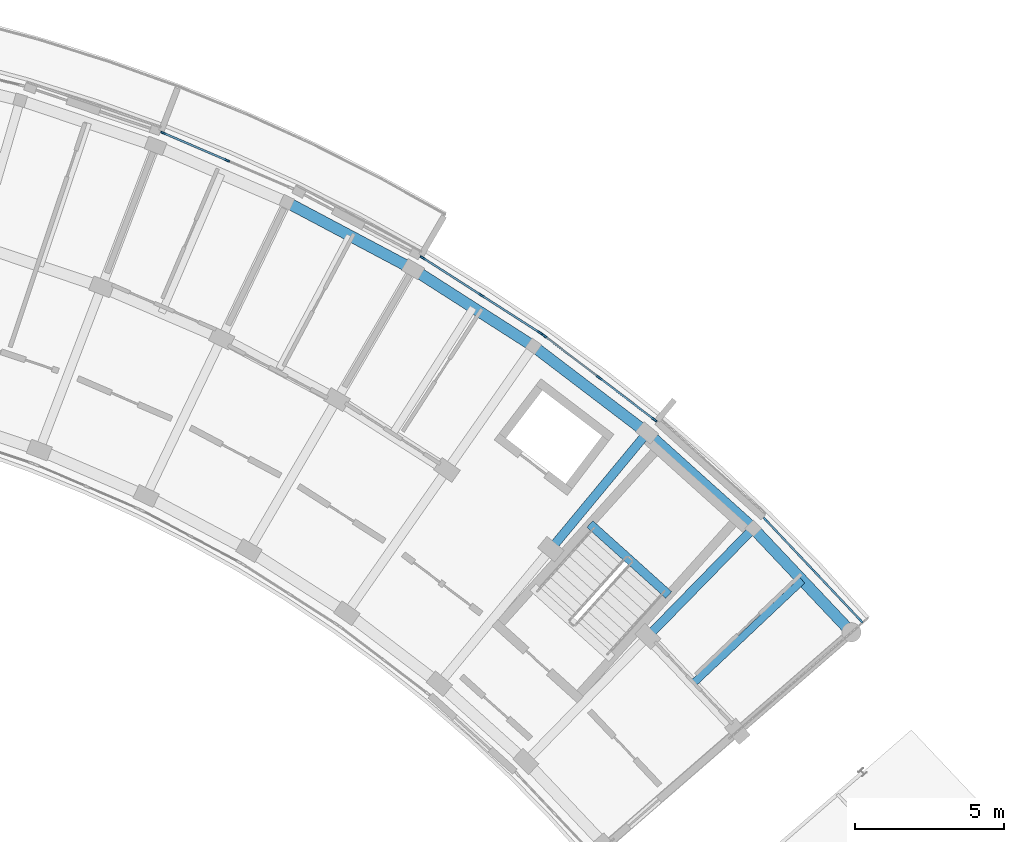
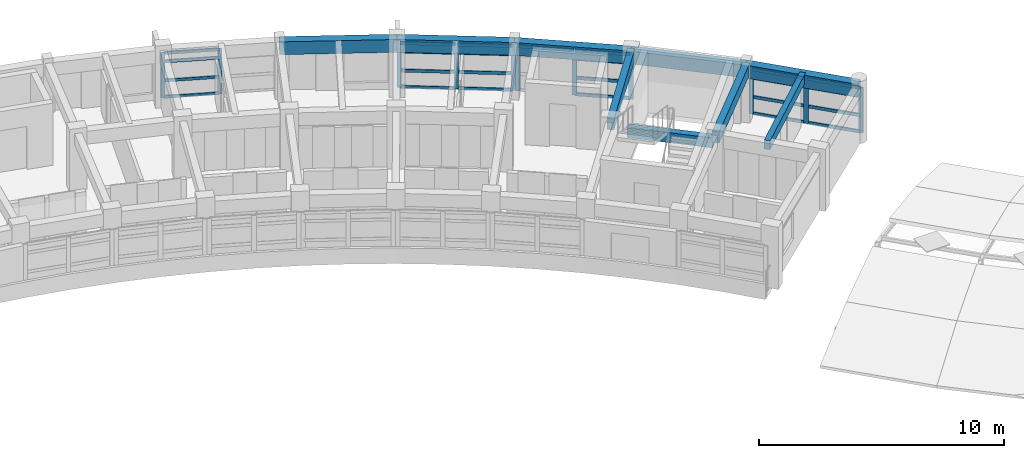
# One storey, part 18 of 40: 36 members, 9 beams, 4 elements without a shape of their own.
"""IFC4 building model written with IfcOpenShell, lengths in metres."""

from ifc_helpers import new_model, si_unit, direction, frame, origin, origin_2d, place, context, subcontext, project, spatial, rectangle, extrude, material, material_profile, profile_set, type_object, element, aggregate, save


model = new_model("IFC4")

# Units and contexts
model_context = context("Model", 3, precision=1e-05, world=origin(), true_north=direction((0.0, 1.0)))
body_context = subcontext(model_context, "Body", "Model", "MODEL_VIEW")
ifc_project = project(units=[si_unit("LENGTHUNIT", "METRE"), si_unit("AREAUNIT", "SQUARE_METRE"), si_unit("VOLUMEUNIT", "CUBIC_METRE"), si_unit("PLANEANGLEUNIT", "RADIAN"), si_unit("MASSUNIT", "GRAM", prefix="KILO")], contexts=[model_context])

# Site, building, storey
site_placement = place(None, origin())
site = spatial("IfcSite", under=ifc_project, at=site_placement, CompositionType="ELEMENT")
building_placement = place(site_placement, origin())
building = spatial("IfcBuilding", under=site, at=building_placement, Name="Zimvara Arc Housing Community", CompositionType="ELEMENT")
storey_placement = place(building_placement, frame((0.0, 0.0, 32.89990234375)))
storey = spatial("IfcBuildingStorey", under=building, at=storey_placement, Name="L10", CompositionType="ELEMENT", Elevation=32.89990234375)

# Beams
ifc_material_1 = material(Name="Concrete C40/50", Category="concrete")
ifc_material_profile_1 = material_profile(ifc_material_1, rectangle(XDim=0.25, YDim=0.449951171875, at=origin_2d()), Name="RC 250x450")
ifc_profile_set_1 = profile_set([ifc_material_profile_1], Name="Concrete C40/50")
beam_type_1 = type_object("IfcBeamType", Name="BM-RC-250x450", PredefinedType="JOIST", material=ifc_profile_set_1)
beam_1_placement = place(storey_placement, frame((84.095703125, 81.3935546875, 2.635009765625), z_axis=(0.727299876429, 0.686319815936, 0.0), x_axis=(-0.686319815936, 0.727299876429, 0.0)))
element("IfcBeam", 1, at=beam_1_placement, inside=storey, type_object=beam_type_1, Name="bm:blkB:L10:joist:b9", PredefinedType="JOIST", context=body_context, shape_type="SweptSolid", body=[
    extrude(rectangle(XDim=0.25, YDim=0.449951171875, at=origin_2d()), origin(), (0.0, 0.0, 1.0), 5.075927734375),
])
ifc_material_2 = material(Name="Concrete C40/50", Category="concrete")
ifc_material_profile_2 = material_profile(ifc_material_2, rectangle(XDim=0.300048828125, YDim=0.5, at=origin_2d()), Name="RC 300x500")
ifc_profile_set_2 = profile_set([ifc_material_profile_2], Name="Concrete C40/50")
beam_type_2 = type_object("IfcBeamType", Name="BM-RC-300x500", PredefinedType="BEAM", material=ifc_profile_set_2)
beam_2_placement = place(storey_placement, frame((83.2900390625, 84.38671875, 1.300048828125), z_axis=(-0.743396155404, 0.668851370732, 0.0), x_axis=(-0.668851370732, -0.743396155404, 0.0)))
element("IfcBeam", 2, at=beam_2_placement, inside=storey, type_object=beam_type_2, Name="bm:stair_trim:ST-B2:L10:mid", PredefinedType="BEAM", context=body_context, shape_type="SweptSolid", body=[
    extrude(rectangle(XDim=0.300048828125, YDim=0.5, at=origin_2d()), origin(), (0.0, 0.0, 1.0), 3.56982421875),
])
ifc_material_3 = material(Name="Concrete C40/50", Category="concrete")
ifc_material_profile_3 = material_profile(ifc_material_3, rectangle(XDim=0.300048828125, YDim=0.550048828125, at=origin_2d()), Name="RC 300x550")
ifc_profile_set_3 = profile_set([ifc_material_profile_3], Name="Concrete C40/50")
beam_type_3 = type_object("IfcBeamType", Name="BM-RC-300x550", PredefinedType="BEAM", material=ifc_profile_set_3)
for number, where, z_axis, x_axis, name in (
    (3, (79.322265625, 85.9296875, 2.585205078125), (0.637983669165, 0.77004989311, 0.0), (-0.77004989311, 0.637983669165, 0.0), "bm:blkB:L10:rad:b8:r23"),
    (4, (82.588134765625, 82.9912109375, 2.585205078125), (0.698670885014, 0.71544321538, 0.0), (-0.71544321538, 0.698670885014, 0.0), "bm:blkB:L10:rad:b9:r23"),
):
    element("IfcBeam", number, at=place(storey_placement, frame(where, z_axis=z_axis, x_axis=x_axis)), inside=storey, type_object=beam_type_3, Name=name, PredefinedType="BEAM", context=body_context, shape_type="SweptSolid", body=[
        extrude(rectangle(XDim=0.300048828125, YDim=0.550048828125, at=origin_2d()), origin(), (0.0, 0.0, 1.0), 5.080078125),
    ])
ifc_material_4 = material(Name="Concrete C40/50", Category="concrete")
ifc_material_profile_4 = material_profile(ifc_material_4, rectangle(XDim=0.3798828125, YDim=0.639892578125, at=origin_2d()), Name="RC 380x640")
ifc_profile_set_4 = profile_set([ifc_material_profile_4], Name="Concrete C40/50")
beam_type_4 = type_object("IfcBeamType", Name="BM-RC-380x640", PredefinedType="BEAM", material=ifc_profile_set_4)
beam_3_placement = place(storey_placement, frame((70.441162109375, 97.599853515625, 2.5400390625), z_axis=(0.883445542299, -0.468533855546, 0.0), x_axis=(0.468533855546, 0.883445542299, 0.0)))
element("IfcBeam", 5, at=beam_3_placement, inside=storey, type_object=beam_type_4, Name="bm:blkB:L10:chord:r3:b5", PredefinedType="BEAM", context=body_context, shape_type="SweptSolid", body=[
    extrude(rectangle(XDim=0.3798828125, YDim=0.639892578125, at=origin_2d()), origin(), (0.0, 0.0, 1.0), 4.807861328125),
])
beam_4_placement = place(storey_placement, frame((74.688720703125, 95.34716796875, 2.5400390625), z_axis=(0.842255724028, -0.539078190379, 0.0), x_axis=(0.539078190379, 0.842255724028, 0.0)))
element("IfcBeam", 6, at=beam_4_placement, inside=storey, type_object=beam_type_4, Name="bm:blkB:L10:chord:r3:b6", PredefinedType="BEAM", context=body_context, shape_type="SweptSolid", body=[
    extrude(rectangle(XDim=0.3798828125, YDim=0.639892578125, at=origin_2d()), origin(), (0.0, 0.0, 1.0), 4.808349609375),
])
beam_5_placement = place(storey_placement, frame((78.738525390625, 92.755126953125, 2.5400390625), z_axis=(0.795480673672, -0.605978958228, 0.0), x_axis=(0.605978958228, 0.795480673672, 0.0)))
element("IfcBeam", 7, at=beam_5_placement, inside=storey, type_object=beam_type_4, Name="bm:blkB:L10:chord:r3:b7", PredefinedType="BEAM", context=body_context, shape_type="SweptSolid", body=[
    extrude(rectangle(XDim=0.3798828125, YDim=0.639892578125, at=origin_2d()), origin(), (0.0, 0.0, 1.0), 4.80810546875),
])
beam_6_placement = place(storey_placement, frame((82.563232421875, 89.841552734375, 2.5400390625), z_axis=(0.743395133402, -0.668852506637, 0.0), x_axis=(0.668852506637, 0.743395133402, 0.0)))
element("IfcBeam", 8, at=beam_6_placement, inside=storey, type_object=beam_type_4, Name="bm:blkB:L10:chord:r3:b8", PredefinedType="BEAM", context=body_context, shape_type="SweptSolid", body=[
    extrude(rectangle(XDim=0.3798828125, YDim=0.639892578125, at=origin_2d()), origin(), (0.0, 0.0, 1.0), 4.807861328125),
])
beam_7_placement = place(storey_placement, frame((86.137451171875, 86.625732421875, 2.5400390625), z_axis=(0.6862954451, -0.727322873307, 0.0), x_axis=(0.727322873307, 0.6862954451, 0.0)))
element("IfcBeam", 9, at=beam_7_placement, inside=storey, type_object=beam_type_4, Name="bm:blkB:L10:chord:r3:b9", PredefinedType="BEAM", context=body_context, shape_type="SweptSolid", body=[
    extrude(rectangle(XDim=0.3798828125, YDim=0.639892578125, at=origin_2d()), origin(), (0.0, 0.0, 1.0), 4.80810546875),
])

# Curtain wall, members
ifc_material_5 = material(Name="Anodised Aluminium AW-6063", Category="aluminium")
curtain_wall_type_1 = type_object("IfcCurtainWallType", Name="CW-SYS-04", PredefinedType="USERDEFINED", material=ifc_material_5)
curtain_wall_1_placement = place(storey_placement, origin())
curtain_wall_1 = element("IfcCurtainWall", 10, at=curtain_wall_1_placement, inside=storey, type_object=curtain_wall_type_1, Name="cw:blkB:L10:out:b4", ObjectType="CURTAIN WALL", PredefinedType="USERDEFINED")
ifc_material_6 = material(Name="Anodised Aluminium AW-6063", Category="aluminium")
ifc_material_profile_5 = material_profile(ifc_material_6, rectangle(XDim=0.06494140625, YDim=0.179931640625, at=origin_2d()), Name="ALU 65x180")
ifc_profile_set_5 = profile_set([ifc_material_profile_5], Name="Anodised Aluminium AW-6063")
member_type_1 = type_object("IfcMemberType", Name="CWM-65x150", PredefinedType="MULLION", material=ifc_profile_set_5)
member_1_placement = place(storey_placement, frame((66.287353515625, 99.92919921875, 0.0), z_axis=(0.0, 0.0, 1.0), x_axis=(0.394904211998, 0.918722299363, 0.0)))
member_1 = element("IfcMember", 11, at=member_1_placement, type_object=member_type_1, Name="CW04 mullion 1", PredefinedType="MULLION", context=body_context, shape_type="SweptSolid", body=[
    extrude(rectangle(XDim=0.06494140625, YDim=0.179931640625, at=origin_2d()), origin(), (0.0, 0.0, 1.0), 2.25),
])
member_2_placement = place(storey_placement, frame((68.429931640625, 99.00830078125, 0.0), z_axis=(0.0, 0.0, 1.0), x_axis=(0.394904211998, 0.918722299363, 0.0)))
member_2 = element("IfcMember", 12, at=member_2_placement, type_object=member_type_1, Name="CW04 mullion 2", PredefinedType="MULLION", context=body_context, shape_type="SweptSolid", body=[
    extrude(rectangle(XDim=0.06494140625, YDim=0.179931640625, at=origin_2d()), origin(), (0.0, 0.0, 1.0), 2.25),
])

ifc_material_7 = material(Name="Anodised Aluminium AW-6063", Category="aluminium")
curtain_wall_type_2 = type_object("IfcCurtainWallType", Name="CW-SYS-07", PredefinedType="USERDEFINED", material=ifc_material_7)
curtain_wall_2_placement = place(storey_placement, origin())
curtain_wall_2 = element("IfcCurtainWall", 13, at=curtain_wall_2_placement, inside=storey, type_object=curtain_wall_type_2, Name="cw:blkB:L10:out:b6", ObjectType="CURTAIN WALL", PredefinedType="USERDEFINED")
ifc_material_8 = material(Name="Anodised Aluminium AW-6063", Category="aluminium")
ifc_material_profile_6 = material_profile(ifc_material_8, rectangle(XDim=0.06494140625, YDim=0.195068359375, at=origin_2d()), Name="ALU 65x195")
ifc_profile_set_6 = profile_set([ifc_material_profile_6], Name="Anodised Aluminium AW-6063")
member_type_2 = type_object("IfcMemberType", Name="CWM-65x180", PredefinedType="MULLION", material=ifc_profile_set_6)
member_3_placement = place(storey_placement, frame((75.018798828125, 95.72900390625, 0.0), z_axis=(0.0, 0.0, 1.0), x_axis=(0.539064617721, 0.842264410931, 0.0)))
member_3 = element("IfcMember", 14, at=member_3_placement, type_object=member_type_2, Name="CW07 mullion 1", PredefinedType="MULLION", context=body_context, shape_type="SweptSolid", body=[
    extrude(rectangle(XDim=0.06494140625, YDim=0.195068359375, at=origin_2d()), origin(), (0.0, 0.0, 1.0), 2.25),
])
member_4_placement = place(storey_placement, frame((76.98291015625, 94.471923828125, 0.0), z_axis=(0.0, 0.0, 1.0), x_axis=(0.539064617721, 0.842264410931, 0.0)))
member_4 = element("IfcMember", 15, at=member_4_placement, type_object=member_type_2, Name="CW07 mullion 2", PredefinedType="MULLION", context=body_context, shape_type="SweptSolid", body=[
    extrude(rectangle(XDim=0.06494140625, YDim=0.195068359375, at=origin_2d()), origin(), (0.0, 0.0, 1.0), 2.25),
])
member_5_placement = place(storey_placement, frame((78.947021484375, 93.21484375, 0.0), z_axis=(0.0, 0.0, 1.0), x_axis=(0.539064617721, 0.842264410931, 0.0)))
member_5 = element("IfcMember", 16, at=member_5_placement, type_object=member_type_2, Name="CW07 mullion 3", PredefinedType="MULLION", context=body_context, shape_type="SweptSolid", body=[
    extrude(rectangle(XDim=0.06494140625, YDim=0.195068359375, at=origin_2d()), origin(), (0.0, 0.0, 1.0), 2.25),
])

ifc_material_9 = material(Name="Anodised Aluminium AW-6063", Category="aluminium")
curtain_wall_type_3 = type_object("IfcCurtainWallType", Name="CW-SYS-01", PredefinedType="USERDEFINED", material=ifc_material_9)
curtain_wall_3_placement = place(storey_placement, origin())
curtain_wall_3 = element("IfcCurtainWall", 17, at=curtain_wall_3_placement, inside=storey, type_object=curtain_wall_type_3, Name="cw:blkB:L10:out:b7", ObjectType="CURTAIN WALL", PredefinedType="USERDEFINED")
member_6_placement = place(storey_placement, frame((79.0986328125, 93.10888671875, 0.0), z_axis=(0.0, 0.0, 1.0), x_axis=(0.60598771987, 0.795473999177, 0.0)))
member_6 = element("IfcMember", 18, at=member_6_placement, type_object=member_type_2, Name="CW01 mullion 1", PredefinedType="MULLION", context=body_context, shape_type="SweptSolid", body=[
    extrude(rectangle(XDim=0.06494140625, YDim=0.195068359375, at=origin_2d()), origin(), (0.0, 0.0, 1.0), 2.25),
])
member_7_placement = place(storey_placement, frame((80.95361328125, 91.69580078125, 0.0), z_axis=(0.0, 0.0, 1.0), x_axis=(0.60598771987, 0.795473999177, 0.0)))
member_7 = element("IfcMember", 19, at=member_7_placement, type_object=member_type_2, Name="CW01 mullion 2", PredefinedType="MULLION", context=body_context, shape_type="SweptSolid", body=[
    extrude(rectangle(XDim=0.06494140625, YDim=0.195068359375, at=origin_2d()), origin(), (0.0, 0.0, 1.0), 2.25),
])
member_8_placement = place(storey_placement, frame((82.80859375, 90.28271484375, 0.0), z_axis=(0.0, 0.0, 1.0), x_axis=(0.60598771987, 0.795473999177, 0.0)))
member_8 = element("IfcMember", 20, at=member_8_placement, type_object=member_type_2, Name="CW01 mullion 3", PredefinedType="MULLION", context=body_context, shape_type="SweptSolid", body=[
    extrude(rectangle(XDim=0.06494140625, YDim=0.195068359375, at=origin_2d()), origin(), (0.0, 0.0, 1.0), 2.25),
])

ifc_material_10 = material(Name="Anodised Aluminium AW-6063", Category="aluminium")
curtain_wall_type_4 = type_object("IfcCurtainWallType", Name="CW-SYS-03", PredefinedType="USERDEFINED", material=ifc_material_10)
curtain_wall_4_placement = place(storey_placement, origin())
curtain_wall_4 = element("IfcCurtainWall", 21, at=curtain_wall_4_placement, inside=storey, type_object=curtain_wall_type_4, Name="cw:blkB:L10:out:b9", ObjectType="CURTAIN WALL", PredefinedType="USERDEFINED")
member_9_placement = place(storey_placement, frame((86.55029296875, 86.916015625, 0.0), z_axis=(0.0, 0.0, 1.0), x_axis=(0.727293647725, 0.686326416495, 0.0)))
member_9 = element("IfcMember", 22, at=member_9_placement, type_object=member_type_2, Name="CW03 mullion 1", PredefinedType="MULLION", context=body_context, shape_type="SweptSolid", body=[
    extrude(rectangle(XDim=0.06494140625, YDim=0.195068359375, at=origin_2d()), origin(), (0.0, 0.0, 1.0), 2.25),
])
member_10_placement = place(storey_placement, frame((88.150634765625, 85.219970703125, 0.0), z_axis=(0.0, 0.0, 1.0), x_axis=(0.727293647725, 0.686326416495, 0.0)))
member_10 = element("IfcMember", 23, at=member_10_placement, type_object=member_type_2, Name="CW03 mullion 2", PredefinedType="MULLION", context=body_context, shape_type="SweptSolid", body=[
    extrude(rectangle(XDim=0.06494140625, YDim=0.195068359375, at=origin_2d()), origin(), (0.0, 0.0, 1.0), 2.25),
])
member_11_placement = place(storey_placement, frame((89.751220703125, 83.524169921875, 0.0), z_axis=(0.0, 0.0, 1.0), x_axis=(0.727293647725, 0.686326416495, 0.0)))
member_11 = element("IfcMember", 24, at=member_11_placement, type_object=member_type_2, Name="CW03 mullion 3", PredefinedType="MULLION", context=body_context, shape_type="SweptSolid", body=[
    extrude(rectangle(XDim=0.06494140625, YDim=0.195068359375, at=origin_2d()), origin(), (0.0, 0.0, 1.0), 2.25),
])

# Member
ifc_material_11 = material(Name="Anodised Aluminium AW-6063", Category="aluminium")
ifc_material_profile_7 = material_profile(ifc_material_11, rectangle(XDim=0.06494140625, YDim=0.139892578125, at=origin_2d()), Name="ALU 65x140")
ifc_profile_set_7 = profile_set([ifc_material_profile_7], Name="Anodised Aluminium AW-6063")
member_type_3 = type_object("IfcMemberType", Name="CWT-65x120", PredefinedType="USERDEFINED", material=ifc_profile_set_7)
member_12_placement = place(storey_placement, frame((66.3173828125, 99.916259765625, 0.03271484375), z_axis=(0.918704360712, -0.394945942641, 0.0), x_axis=(0.394945942641, 0.918704360712, 0.0)))
member_12 = element("IfcMember", 25, at=member_12_placement, type_object=member_type_3, Name="CW04 transom 1.1", ObjectType="TRANSOM", PredefinedType="USERDEFINED", context=body_context, shape_type="SweptSolid", body=[
    extrude(rectangle(XDim=0.06494140625, YDim=0.139892578125, at=origin_2d()), origin(), (0.0, 0.0, 1.0), 2.266845703125),
])

member_13_placement = place(storey_placement, frame((66.3173828125, 99.916259765625, 0.85009765625), z_axis=(0.918704360712, -0.394945942641, 0.0), x_axis=(0.394945942641, 0.918704360712, 0.0)))
member_13 = element("IfcMember", 26, at=member_13_placement, type_object=member_type_3, Name="CW04 transom 1.2", ObjectType="TRANSOM", PredefinedType="USERDEFINED", context=body_context, shape_type="SweptSolid", body=[
    extrude(rectangle(XDim=0.06494140625, YDim=0.139892578125, at=origin_2d()), origin(), (0.0, 0.0, 1.0), 2.266845703125),
])

member_14_placement = place(storey_placement, frame((66.3173828125, 99.916259765625, 1.800048828125), z_axis=(0.918704360712, -0.394945942641, 0.0), x_axis=(0.394945942641, 0.918704360712, 0.0)))
member_14 = element("IfcMember", 27, at=member_14_placement, type_object=member_type_3, Name="CW04 transom 1.3", ObjectType="TRANSOM", PredefinedType="USERDEFINED", context=body_context, shape_type="SweptSolid", body=[
    extrude(rectangle(XDim=0.06494140625, YDim=0.139892578125, at=origin_2d()), origin(), (0.0, 0.0, 1.0), 2.266845703125),
])

member_15_placement = place(storey_placement, frame((66.3173828125, 99.916259765625, 2.217529296875), z_axis=(0.918704360712, -0.394945942641, 0.0), x_axis=(0.394945942641, 0.918704360712, 0.0)))
member_15 = element("IfcMember", 28, at=member_15_placement, type_object=member_type_3, Name="CW04 transom 1.4", ObjectType="TRANSOM", PredefinedType="USERDEFINED", context=body_context, shape_type="SweptSolid", body=[
    extrude(rectangle(XDim=0.06494140625, YDim=0.139892578125, at=origin_2d()), origin(), (0.0, 0.0, 1.0), 2.266845703125),
])

aggregate(curtain_wall_1, [member_1, member_2, member_12, member_13, member_14, member_15])

ifc_material_12 = material(Name="Anodised Aluminium AW-6063", Category="aluminium")
ifc_material_profile_8 = material_profile(ifc_material_12, rectangle(XDim=0.06494140625, YDim=0.155029296875, at=origin_2d()), Name="ALU 65x155")
ifc_profile_set_8 = profile_set([ifc_material_profile_8], Name="Anodised Aluminium AW-6063")
member_type_4 = type_object("IfcMemberType", Name="CWT-65x140", PredefinedType="USERDEFINED", material=ifc_profile_set_8)
member_16_placement = place(storey_placement, frame((75.046142578125, 95.71142578125, 0.03271484375), z_axis=(0.842292914806, -0.539020079095, 0.0), x_axis=(0.539020079095, 0.842292914806, 0.0)))
member_16 = element("IfcMember", 29, at=member_16_placement, type_object=member_type_4, Name="CW07 transom 1.1", ObjectType="TRANSOM", PredefinedType="USERDEFINED", context=body_context, shape_type="SweptSolid", body=[
    extrude(rectangle(XDim=0.06494140625, YDim=0.155029296875, at=origin_2d()), origin(), (0.0, 0.0, 1.0), 2.266845703125),
])

member_17_placement = place(storey_placement, frame((75.046142578125, 95.71142578125, 0.85009765625), z_axis=(0.842292914806, -0.539020079095, 0.0), x_axis=(0.539020079095, 0.842292914806, 0.0)))
member_17 = element("IfcMember", 30, at=member_17_placement, type_object=member_type_4, Name="CW07 transom 1.2", ObjectType="TRANSOM", PredefinedType="USERDEFINED", context=body_context, shape_type="SweptSolid", body=[
    extrude(rectangle(XDim=0.06494140625, YDim=0.155029296875, at=origin_2d()), origin(), (0.0, 0.0, 1.0), 2.266845703125),
])

member_18_placement = place(storey_placement, frame((75.046142578125, 95.71142578125, 1.800048828125), z_axis=(0.842292914806, -0.539020079095, 0.0), x_axis=(0.539020079095, 0.842292914806, 0.0)))
member_18 = element("IfcMember", 31, at=member_18_placement, type_object=member_type_4, Name="CW07 transom 1.3", ObjectType="TRANSOM", PredefinedType="USERDEFINED", context=body_context, shape_type="SweptSolid", body=[
    extrude(rectangle(XDim=0.06494140625, YDim=0.155029296875, at=origin_2d()), origin(), (0.0, 0.0, 1.0), 2.266845703125),
])

member_19_placement = place(storey_placement, frame((75.046142578125, 95.71142578125, 2.217529296875), z_axis=(0.842292914806, -0.539020079095, 0.0), x_axis=(0.539020079095, 0.842292914806, 0.0)))
member_19 = element("IfcMember", 32, at=member_19_placement, type_object=member_type_4, Name="CW07 transom 1.4", ObjectType="TRANSOM", PredefinedType="USERDEFINED", context=body_context, shape_type="SweptSolid", body=[
    extrude(rectangle(XDim=0.06494140625, YDim=0.155029296875, at=origin_2d()), origin(), (0.0, 0.0, 1.0), 2.266845703125),
])

member_20_placement = place(storey_placement, frame((77.01025390625, 94.454345703125, 0.03271484375), z_axis=(0.842292914806, -0.539020079095, 0.0), x_axis=(0.539020079095, 0.842292914806, 0.0)))
member_20 = element("IfcMember", 33, at=member_20_placement, type_object=member_type_4, Name="CW07 transom 2.1", ObjectType="TRANSOM", PredefinedType="USERDEFINED", context=body_context, shape_type="SweptSolid", body=[
    extrude(rectangle(XDim=0.06494140625, YDim=0.155029296875, at=origin_2d()), origin(), (0.0, 0.0, 1.0), 2.266845703125),
])

member_21_placement = place(storey_placement, frame((77.01025390625, 94.454345703125, 0.85009765625), z_axis=(0.842292914806, -0.539020079095, 0.0), x_axis=(0.539020079095, 0.842292914806, 0.0)))
member_21 = element("IfcMember", 34, at=member_21_placement, type_object=member_type_4, Name="CW07 transom 2.2", ObjectType="TRANSOM", PredefinedType="USERDEFINED", context=body_context, shape_type="SweptSolid", body=[
    extrude(rectangle(XDim=0.06494140625, YDim=0.155029296875, at=origin_2d()), origin(), (0.0, 0.0, 1.0), 2.266845703125),
])

member_22_placement = place(storey_placement, frame((77.01025390625, 94.454345703125, 1.800048828125), z_axis=(0.842292914806, -0.539020079095, 0.0), x_axis=(0.539020079095, 0.842292914806, 0.0)))
member_22 = element("IfcMember", 35, at=member_22_placement, type_object=member_type_4, Name="CW07 transom 2.3", ObjectType="TRANSOM", PredefinedType="USERDEFINED", context=body_context, shape_type="SweptSolid", body=[
    extrude(rectangle(XDim=0.06494140625, YDim=0.155029296875, at=origin_2d()), origin(), (0.0, 0.0, 1.0), 2.266845703125),
])

member_23_placement = place(storey_placement, frame((77.01025390625, 94.454345703125, 2.217529296875), z_axis=(0.842292914806, -0.539020079095, 0.0), x_axis=(0.539020079095, 0.842292914806, 0.0)))
member_23 = element("IfcMember", 36, at=member_23_placement, type_object=member_type_4, Name="CW07 transom 2.4", ObjectType="TRANSOM", PredefinedType="USERDEFINED", context=body_context, shape_type="SweptSolid", body=[
    extrude(rectangle(XDim=0.06494140625, YDim=0.155029296875, at=origin_2d()), origin(), (0.0, 0.0, 1.0), 2.266845703125),
])

aggregate(curtain_wall_2, [member_3, member_4, member_5, member_16, member_17, member_18, member_19, member_20, member_21, member_22, member_23])

member_24_placement = place(storey_placement, frame((79.12451171875, 93.08935546875, 2.217529296875), z_axis=(0.795453969776, -0.606014011363, 0.0), x_axis=(0.606014011363, 0.795453969776, 0.0)))
member_24 = element("IfcMember", 37, at=member_24_placement, type_object=member_type_4, Name="CW01 transom 1.4", ObjectType="TRANSOM", PredefinedType="USERDEFINED", context=body_context, shape_type="SweptSolid", body=[
    extrude(rectangle(XDim=0.06494140625, YDim=0.155029296875, at=origin_2d()), origin(), (0.0, 0.0, 1.0), 2.266845703125),
])

member_25_placement = place(storey_placement, frame((80.9794921875, 91.676025390625, 0.03271484375), z_axis=(0.795505886513, -0.605945859399, 0.0), x_axis=(0.605945859399, 0.795505886513, 0.0)))
member_25 = element("IfcMember", 38, at=member_25_placement, type_object=member_type_4, Name="CW01 transom 2.1", ObjectType="TRANSOM", PredefinedType="USERDEFINED", context=body_context, shape_type="SweptSolid", body=[
    extrude(rectangle(XDim=0.06494140625, YDim=0.155029296875, at=origin_2d()), origin(), (0.0, 0.0, 1.0), 2.266845703125),
])

member_26_placement = place(storey_placement, frame((80.9794921875, 91.676025390625, 0.85009765625), z_axis=(0.795505886513, -0.605945859399, 0.0), x_axis=(0.605945859399, 0.795505886513, 0.0)))
member_26 = element("IfcMember", 39, at=member_26_placement, type_object=member_type_4, Name="CW01 transom 2.2", ObjectType="TRANSOM", PredefinedType="USERDEFINED", context=body_context, shape_type="SweptSolid", body=[
    extrude(rectangle(XDim=0.06494140625, YDim=0.155029296875, at=origin_2d()), origin(), (0.0, 0.0, 1.0), 2.266845703125),
])

member_27_placement = place(storey_placement, frame((80.9794921875, 91.676025390625, 1.800048828125), z_axis=(0.795505886513, -0.605945859399, 0.0), x_axis=(0.605945859399, 0.795505886513, 0.0)))
member_27 = element("IfcMember", 40, at=member_27_placement, type_object=member_type_4, Name="CW01 transom 2.3", ObjectType="TRANSOM", PredefinedType="USERDEFINED", context=body_context, shape_type="SweptSolid", body=[
    extrude(rectangle(XDim=0.06494140625, YDim=0.155029296875, at=origin_2d()), origin(), (0.0, 0.0, 1.0), 2.266845703125),
])

member_28_placement = place(storey_placement, frame((80.9794921875, 91.676025390625, 2.217529296875), z_axis=(0.795505886513, -0.605945859399, 0.0), x_axis=(0.605945859399, 0.795505886513, 0.0)))
member_28 = element("IfcMember", 41, at=member_28_placement, type_object=member_type_4, Name="CW01 transom 2.4", ObjectType="TRANSOM", PredefinedType="USERDEFINED", context=body_context, shape_type="SweptSolid", body=[
    extrude(rectangle(XDim=0.06494140625, YDim=0.155029296875, at=origin_2d()), origin(), (0.0, 0.0, 1.0), 2.266845703125),
])

aggregate(curtain_wall_3, [member_6, member_7, member_8, member_24, member_25, member_26, member_27, member_28])

member_29_placement = place(storey_placement, frame((86.572509765625, 86.892333984375, 0.03271484375), z_axis=(0.686348357589, -0.727272941911, 0.0), x_axis=(0.727272941911, 0.686348357589, 0.0)))
member_29 = element("IfcMember", 42, at=member_29_placement, type_object=member_type_4, Name="CW03 transom 1.1", ObjectType="TRANSOM", PredefinedType="USERDEFINED", context=body_context, shape_type="SweptSolid", body=[
    extrude(rectangle(XDim=0.06494140625, YDim=0.155029296875, at=origin_2d()), origin(), (0.0, 0.0, 1.0), 2.266845703125),
])

member_30_placement = place(storey_placement, frame((86.572509765625, 86.892333984375, 0.85009765625), z_axis=(0.686348357589, -0.727272941911, 0.0), x_axis=(0.727272941911, 0.686348357589, 0.0)))
member_30 = element("IfcMember", 43, at=member_30_placement, type_object=member_type_4, Name="CW03 transom 1.2", ObjectType="TRANSOM", PredefinedType="USERDEFINED", context=body_context, shape_type="SweptSolid", body=[
    extrude(rectangle(XDim=0.06494140625, YDim=0.155029296875, at=origin_2d()), origin(), (0.0, 0.0, 1.0), 2.266845703125),
])

member_31_placement = place(storey_placement, frame((86.572509765625, 86.892333984375, 1.800048828125), z_axis=(0.686348357589, -0.727272941911, 0.0), x_axis=(0.727272941911, 0.686348357589, 0.0)))
member_31 = element("IfcMember", 44, at=member_31_placement, type_object=member_type_4, Name="CW03 transom 1.3", ObjectType="TRANSOM", PredefinedType="USERDEFINED", context=body_context, shape_type="SweptSolid", body=[
    extrude(rectangle(XDim=0.06494140625, YDim=0.155029296875, at=origin_2d()), origin(), (0.0, 0.0, 1.0), 2.266845703125),
])

member_32_placement = place(storey_placement, frame((86.572509765625, 86.892333984375, 2.217529296875), z_axis=(0.686348357589, -0.727272941911, 0.0), x_axis=(0.727272941911, 0.686348357589, 0.0)))
member_32 = element("IfcMember", 45, at=member_32_placement, type_object=member_type_4, Name="CW03 transom 1.4", ObjectType="TRANSOM", PredefinedType="USERDEFINED", context=body_context, shape_type="SweptSolid", body=[
    extrude(rectangle(XDim=0.06494140625, YDim=0.155029296875, at=origin_2d()), origin(), (0.0, 0.0, 1.0), 2.266845703125),
])

member_33_placement = place(storey_placement, frame((88.173095703125, 85.196533203125, 0.03271484375), z_axis=(0.68623762882, -0.727377423894, 0.0), x_axis=(0.727377423894, 0.68623762882, 0.0)))
member_33 = element("IfcMember", 46, at=member_33_placement, type_object=member_type_4, Name="CW03 transom 2.1", ObjectType="TRANSOM", PredefinedType="USERDEFINED", context=body_context, shape_type="SweptSolid", body=[
    extrude(rectangle(XDim=0.06494140625, YDim=0.155029296875, at=origin_2d()), origin(), (0.0, 0.0, 1.0), 2.266845703125),
])

member_34_placement = place(storey_placement, frame((88.173095703125, 85.196533203125, 0.85009765625), z_axis=(0.68623762882, -0.727377423894, 0.0), x_axis=(0.727377423894, 0.68623762882, 0.0)))
member_34 = element("IfcMember", 47, at=member_34_placement, type_object=member_type_4, Name="CW03 transom 2.2", ObjectType="TRANSOM", PredefinedType="USERDEFINED", context=body_context, shape_type="SweptSolid", body=[
    extrude(rectangle(XDim=0.06494140625, YDim=0.155029296875, at=origin_2d()), origin(), (0.0, 0.0, 1.0), 2.266845703125),
])

member_35_placement = place(storey_placement, frame((88.173095703125, 85.196533203125, 1.800048828125), z_axis=(0.68623762882, -0.727377423894, 0.0), x_axis=(0.727377423894, 0.68623762882, 0.0)))
member_35 = element("IfcMember", 48, at=member_35_placement, type_object=member_type_4, Name="CW03 transom 2.3", ObjectType="TRANSOM", PredefinedType="USERDEFINED", context=body_context, shape_type="SweptSolid", body=[
    extrude(rectangle(XDim=0.06494140625, YDim=0.155029296875, at=origin_2d()), origin(), (0.0, 0.0, 1.0), 2.266845703125),
])

member_36_placement = place(storey_placement, frame((88.173095703125, 85.196533203125, 2.217529296875), z_axis=(0.68623762882, -0.727377423894, 0.0), x_axis=(0.727377423894, 0.68623762882, 0.0)))
member_36 = element("IfcMember", 49, at=member_36_placement, type_object=member_type_4, Name="CW03 transom 2.4", ObjectType="TRANSOM", PredefinedType="USERDEFINED", context=body_context, shape_type="SweptSolid", body=[
    extrude(rectangle(XDim=0.06494140625, YDim=0.155029296875, at=origin_2d()), origin(), (0.0, 0.0, 1.0), 2.266845703125),
])

aggregate(curtain_wall_4, [member_9, member_10, member_11, member_29, member_30, member_31, member_32, member_33, member_34, member_35, member_36])

save(model, "model.ifc")
